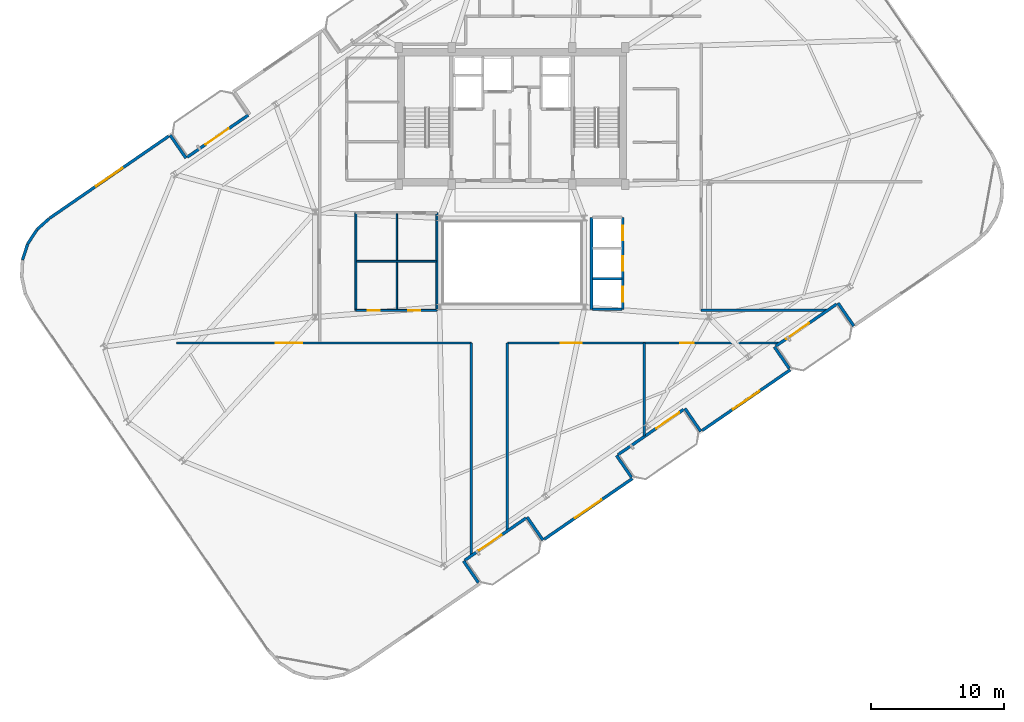
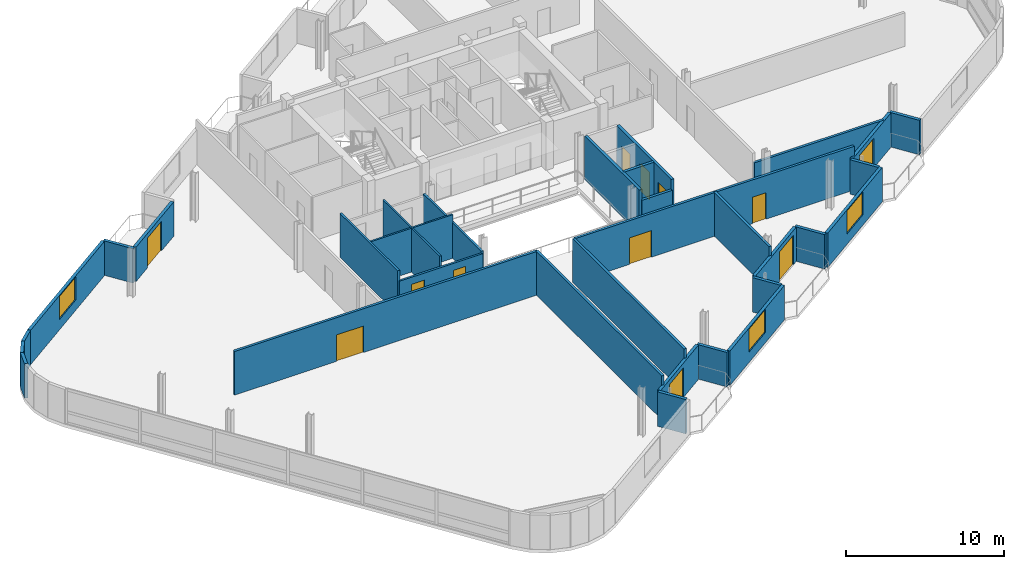
# One storey, part 17 of 23: 32 walls, 12 doors, 3 windows, 15 openings.
"""IFC4 building model written with IfcOpenShell, lengths in metres."""

import ifcopenshell
import ifcopenshell.guid

model = None  # the IFC model being written
_history = None  # IfcOwnerHistory: only IFC2X3 demands one
_inside = {}  # id of a spatial element -> (the spatial element, [elements in it])
_under = {}  # id of a project, library or spatial element -> (it, [spatial elements below it])
_declared = {}  # id of a project -> (the project, [libraries it declares])
_typed = {}  # id of a type object -> (the type object, [elements of that type])
_made_of = {}  # id of a material, layer set ... -> (it, [elements and type objects made of it])


def new_model(schema):
    """Start an empty IFC model of exactly this schema.

    Asked for "IFC4X3", IfcOpenShell would pick the latest addendum, in which some entities
    have other attributes; the version numbers below select the first issue.
    IFC2X3 requires an IfcOwnerHistory on every rooted entity: one is made here for all.
    """
    global model, _history
    if schema == "IFC4X3":
        model = ifcopenshell.file(schema_version=(4, 3, 0, 0))
    else:
        model = ifcopenshell.file(schema=schema)
    _inside.clear()
    _under.clear()
    _declared.clear()
    _typed.clear()
    _made_of.clear()
    _history = None
    if model.schema == "IFC2X3":
        org = make("IfcOrganization", Name="unknown")
        user = make(
            "IfcPersonAndOrganization",
            ThePerson=make("IfcPerson", FamilyName="unknown"),
            TheOrganization=org,
        )
        app = make(
            "IfcApplication",
            ApplicationDeveloper=org,
            Version="unknown",
            ApplicationFullName="unknown",
            ApplicationIdentifier="unknown",
        )
        _history = make(
            "IfcOwnerHistory",
            OwningUser=user,
            OwningApplication=app,
            ChangeAction="ADDED",
            CreationDate=0,
        )
    return model


def make(cls, **values):
    """One entity of the class cls with the attributes given. An attribute that is None is left unset."""
    return model.create_entity(
        cls, **{name: value for name, value in values.items() if value is not None}
    )


def rooted(cls, **values):
    """An entity with a GlobalId (a new one), such as an element, a storey or a relation."""
    return make(cls, GlobalId=ifcopenshell.guid.new(), OwnerHistory=_history, **values)


def si_unit(unit_type, name, prefix=None):
    """IfcSIUnit, for example si_unit("LENGTHUNIT", "METRE", prefix="MILLI")."""
    return make("IfcSIUnit", UnitType=unit_type, Prefix=prefix, Name=name)


def assignment(units):
    """IfcUnitAssignment: the units of a project."""
    return None if units is None else make("IfcUnitAssignment", Units=units)


def point(xyz):
    """IfcCartesianPoint."""
    return None if xyz is None else make("IfcCartesianPoint", Coordinates=xyz)


def direction(xyz):
    """IfcDirection."""
    return None if xyz is None else make("IfcDirection", DirectionRatios=xyz)


def frame(location, z_axis=None, x_axis=None):
    """IfcAxis2Placement3D, a coordinate frame: its origin and axes. An axis left out is left unset."""
    return make(
        "IfcAxis2Placement3D",
        Location=point(location),
        Axis=direction(z_axis),
        RefDirection=direction(x_axis),
    )


def frame_2d(location, x_axis=None):
    """IfcAxis2Placement2D, a coordinate frame in the plane: its origin and x axis."""
    return make(
        "IfcAxis2Placement2D", Location=point(location), RefDirection=direction(x_axis)
    )


def origin():
    """The frame at (0, 0, 0) with its axes left unset."""
    return frame((0.0, 0.0, 0.0))


def place(relative_to, where):
    """IfcLocalPlacement: puts the frame where relative to a parent placement (None: the world)."""
    return make(
        "IfcLocalPlacement", PlacementRelTo=relative_to, RelativePlacement=where
    )


def context(
    kind, dimensions, precision=None, world=None, true_north=None, identifier=None
):
    """IfcGeometricRepresentationContext, for example the 3D "Model" context."""
    return make(
        "IfcGeometricRepresentationContext",
        ContextIdentifier=identifier,
        ContextType=kind,
        CoordinateSpaceDimension=dimensions,
        Precision=precision,
        WorldCoordinateSystem=world,
        TrueNorth=true_north,
    )


def subcontext(parent, identifier, kind, view, scale=None):
    """IfcGeometricRepresentationSubContext, for example "Body" below "Model"."""
    return make(
        "IfcGeometricRepresentationSubContext",
        ContextIdentifier=identifier,
        ContextType=kind,
        ParentContext=parent,
        TargetScale=scale,
        TargetView=view,
    )


def project(units=None, contexts=None):
    """IfcProject with its units and contexts."""
    return rooted(
        "IfcProject",
        Name="project",
        RepresentationContexts=contexts,
        UnitsInContext=assignment(units),
    )


def spatial(cls, under=None, at=None, **own):
    """A site, building, storey or space (cls), placed at a placement, below another one or the project."""
    s = rooted(cls, ObjectPlacement=at, **own)
    if under is not None:
        _under.setdefault(under.id(), (under, []))[1].append(s)
    return s


def profile(cls, at=None, kind="AREA", **sizes):
    """A parametric profile (cls). Its sizes go by their IFC names, for example OverallWidth=200.0."""
    return make(cls, ProfileType=kind, Position=at, **sizes)


def rectangle(**sizes):
    """IfcRectangleProfileDef."""
    return profile("IfcRectangleProfileDef", **sizes)


def extrude(swept, where, along, depth):
    """IfcExtrudedAreaSolid: the profile swept, set in the frame where, extruded along a direction by depth."""
    return make(
        "IfcExtrudedAreaSolid",
        SweptArea=swept,
        Position=where,
        ExtrudedDirection=direction(along),
        Depth=depth,
    )


def shape(context_of_items, identifier, shape_type, items):
    """IfcShapeRepresentation: the items that make up one representation, for example the "Body"."""
    return make(
        "IfcShapeRepresentation",
        ContextOfItems=context_of_items,
        RepresentationIdentifier=identifier,
        RepresentationType=shape_type,
        Items=items,
    )


def material(Name=None, Category=None):
    """IfcMaterial."""
    return make("IfcMaterial", Name=Name, Category=Category)


def layer(
    of_material, thickness, ventilated=None, Name=None, Category=None, Priority=None
):
    """IfcMaterialLayer: one layer of a wall or slab, of a material (None: an air gap)."""
    return make(
        "IfcMaterialLayer",
        Material=of_material,
        LayerThickness=thickness,
        IsVentilated=ventilated,
        Name=Name,
        Category=Category,
        Priority=Priority,
    )


def layer_set(layers, Name=None):
    """IfcMaterialLayerSet."""
    return make("IfcMaterialLayerSet", MaterialLayers=layers, LayerSetName=Name)


def made_of(thing, what):
    """Note that an element or type object is made of a material, layer set ...; save() writes the relation."""
    if what is not None:
        _made_of.setdefault(what.id(), (what, []))[1].append(thing)
    return thing


def type_object(cls, material=None, **own):
    """A type object (cls), such as IfcWallType, which elements share."""
    return made_of(rooted(cls, **own), material)


def element(
    cls,
    number,
    at=None,
    inside=None,
    cuts=None,
    type_object=None,
    material=None,
    context=None,
    identifier="Body",
    shape_type=None,
    held_by="IfcProductDefinitionShape",
    body=None,
    shapes=None,
    **own,
):
    """One element of the class cls, such as IfcWall. Its Tag is "e" and its number.

    at: its placement. inside: the storey or other place that contains it. cuts: it is an
    opening in that element (IfcRelVoidsElement). A single representation is given by context,
    identifier, shape_type and body (its items); several are given by shapes. held_by: the class
    of the entity that holds the representations. save() writes the other relations.
    """
    e = rooted(cls, Tag="e%d" % number, ObjectPlacement=at, **own)
    if body is not None:
        shapes = [shape(context, identifier, shape_type, body)]
    if shapes is not None:
        e.Representation = make(held_by, Representations=shapes)
    if inside is not None:
        _inside.setdefault(inside.id(), (inside, []))[1].append(e)
    if cuts is not None:
        rooted(
            "IfcRelVoidsElement", RelatingBuildingElement=cuts, RelatedOpeningElement=e
        )
    if type_object is not None:
        _typed.setdefault(type_object.id(), (type_object, []))[1].append(e)
    return made_of(e, material)


def fill(opening, filler):
    """IfcRelFillsElement: the door or window that sits in an opening."""
    return rooted(
        "IfcRelFillsElement",
        RelatingOpeningElement=opening,
        RelatedBuildingElement=filler,
    )


def aggregate(whole, parts):
    """IfcRelAggregates: a whole, such as a stair, and the parts it consists of."""
    return rooted("IfcRelAggregates", RelatingObject=whole, RelatedObjects=parts)


def save(model, path):
    """Write the relations noted so far, then the file.

    IfcRelAggregates (storeys below a building ...), IfcRelContainedInSpatialStructure (elements
    in a storey), IfcRelDefinesByType, IfcRelAssociatesMaterial and IfcRelDeclares: one each for
    every whole, place, type object, material and project.
    """
    for whole, parts in _under.values():
        aggregate(whole, parts)
    for where, things in _inside.values():
        rooted(
            "IfcRelContainedInSpatialStructure",
            RelatedElements=things,
            RelatingStructure=where,
        )
    for kind, things in _typed.values():
        rooted("IfcRelDefinesByType", RelatedObjects=things, RelatingType=kind)
    for what, things in _made_of.values():
        rooted("IfcRelAssociatesMaterial", RelatedObjects=things, RelatingMaterial=what)
    for by, libraries in _declared.values():
        rooted("IfcRelDeclares", RelatingContext=by, RelatedDefinitions=libraries)
    model.write(path)


model = new_model("IFC4")

# Units and contexts
model_context = context("Model", 3, precision=1e-05, world=origin(), true_north=direction((0.0, 1.0)))
body_context = subcontext(model_context, "Body", "Model", "MODEL_VIEW")
ifc_project = project(units=[si_unit("LENGTHUNIT", "METRE"), si_unit("AREAUNIT", "SQUARE_METRE"), si_unit("VOLUMEUNIT", "CUBIC_METRE"), si_unit("PLANEANGLEUNIT", "RADIAN"), si_unit("MASSUNIT", "GRAM", prefix="KILO")], contexts=[model_context])

# Site, building, storey
site_placement = place(None, origin())
site = spatial("IfcSite", under=ifc_project, at=site_placement, CompositionType="ELEMENT")
building_placement = place(site_placement, origin())
building = spatial("IfcBuilding", under=site, at=building_placement, Name="Varnelok Gate Tower", CompositionType="ELEMENT")
storey_placement = place(building_placement, frame((0.0, 0.0, 287.800048828125)))
storey = spatial("IfcBuildingStorey", under=building, at=storey_placement, Name="L74", CompositionType="ELEMENT", Elevation=287.800048828125)

# Wall, opening, door
ifc_material_1 = material(Name="Concrete C45/55", Category="concrete")
ifc_layer_1 = layer(ifc_material_1, 0.219970703125)
ifc_layer_set_1 = layer_set([ifc_layer_1], Name="Concrete C45/55")
wall_type_1 = type_object("IfcWallType", Name="EW-BALC-220", PredefinedType="SOLIDWALL", material=ifc_layer_set_1)
wall_1_placement = place(storey_placement, frame((40.243896484375, 3.6884765625, 0.0), z_axis=(0.0, 0.0, 1.0), x_axis=(-0.823541290762, -0.567256328665, 0.0)))
wall_1 = element("IfcWall", 1, at=wall_1_placement, inside=storey, type_object=wall_type_1, Name="L74 South Terrace Envelope Wall 1", PredefinedType="SOLIDWALL", context=body_context, shape_type="SweptSolid", body=[
    extrude(rectangle(XDim=5.567138671875, YDim=0.219970703125, at=frame_2d((2.78369140625, 0.0))), origin(), (0.0, 0.0, 1.0), 2.659912109375),
])
opening_1_placement = place(wall_1_placement, frame((2.213623046875, 0.0, 0.0)))
opening_1 = element("IfcOpeningElement", 2, at=opening_1_placement, cuts=wall_1, Name="Opening BD-2", PredefinedType="OPENING", context=body_context, shape_type="SweptSolid", body=[
    extrude(rectangle(XDim=2.10009765625, YDim=2.300048828125, at=frame_2d((1.050048828125, 1.14990234375))), frame((0.0, 0.119873046875, 0.0), z_axis=(0.0, -1.0, 0.0), x_axis=(1.0, 0.0, 0.0)), (0.0, 0.0, 1.0), 0.239990234375),
])
ifc_material_2 = material(Name="Anodized Aluminum Alloy 6063-T6", Category="aluminium")
door_type_1 = type_object("IfcDoorType", Name="DR-EXT-SLID2100", OperationType="SLIDING_TO_LEFT", PredefinedType="DOOR", material=ifc_material_2)
door_1_placement = place(opening_1_placement, origin())
door_1 = element("IfcDoor", 3, at=door_1_placement, inside=storey, type_object=door_type_1, Name="L74 South Balcony Glazed Door 1", OperationType="SLIDING_TO_LEFT", OverallHeight=2.300048828125, OverallWidth=2.10009765625, PredefinedType="DOOR", context=body_context, shape_type="SweptSolid", body=[
    extrude(rectangle(XDim=2.10009765625, YDim=2.300048828125, at=frame_2d((1.050048828125, 1.14990234375))), frame((0.0, 0.02490234375, 0.0), z_axis=(0.0, -1.0, 0.0), x_axis=(1.0, 0.0, 0.0)), (0.0, 0.0, 1.0), 0.050048828125),
])
fill(opening_1, door_1)

wall_2_placement = place(storey_placement, frame((52.102783203125, 11.85693359375, 0.0), z_axis=(0.0, 0.0, 1.0), x_axis=(-0.823534636215, -0.567265989598, 0.0)))
wall_2 = element("IfcWall", 4, at=wall_2_placement, inside=storey, type_object=wall_type_1, Name="L74 South Terrace Envelope Wall 2", PredefinedType="SOLIDWALL", context=body_context, shape_type="SweptSolid", body=[
    extrude(rectangle(XDim=6.0, YDim=0.219970703125, at=frame_2d((3.0, 0.0))), origin(), (0.0, 0.0, 1.0), 2.659912109375),
])
opening_2_placement = place(wall_2_placement, frame((0.39990234375, 0.0, 0.0)))
opening_2 = element("IfcOpeningElement", 5, at=opening_2_placement, cuts=wall_2, Name="Opening BD-2", PredefinedType="OPENING", context=body_context, shape_type="SweptSolid", body=[
    extrude(rectangle(XDim=2.10009765625, YDim=2.300048828125, at=frame_2d((1.050048828125, 1.14990234375))), frame((0.0, 0.119873046875, 0.0), z_axis=(0.0, -1.0, 0.0), x_axis=(1.0, 0.0, 0.0)), (0.0, 0.0, 1.0), 0.239990234375),
])
door_2_placement = place(opening_2_placement, origin())
door_2 = element("IfcDoor", 6, at=door_2_placement, inside=storey, type_object=door_type_1, Name="L74 South Balcony Glazed Door 2", OperationType="SLIDING_TO_LEFT", OverallHeight=2.300048828125, OverallWidth=2.10009765625, PredefinedType="DOOR", context=body_context, shape_type="SweptSolid", body=[
    extrude(rectangle(XDim=2.10009765625, YDim=2.300048828125, at=frame_2d((1.050048828125, 1.14990234375))), frame((0.0, 0.02490234375, 0.0), z_axis=(0.0, -1.0, 0.0), x_axis=(1.0, 0.0, 0.0)), (0.0, 0.0, 1.0), 0.050048828125),
])
fill(opening_2, door_2)

wall_3_placement = place(storey_placement, frame((63.60498046875, 19.780029296875, 0.0), z_axis=(0.0, 0.0, 1.0), x_axis=(-0.823541290762, -0.567256328665, 0.0)))
wall_3 = element("IfcWall", 7, at=wall_3_placement, inside=storey, type_object=wall_type_1, Name="L74 South Terrace Envelope Wall 3", PredefinedType="SOLIDWALL", context=body_context, shape_type="SweptSolid", body=[
    extrude(rectangle(XDim=5.567138671875, YDim=0.219970703125, at=frame_2d((2.78369140625, 0.0))), origin(), (0.0, 0.0, 1.0), 2.659912109375),
])
opening_3_placement = place(wall_3_placement, frame((2.53369140625, 0.0, 0.0)))
opening_3 = element("IfcOpeningElement", 8, at=opening_3_placement, cuts=wall_3, Name="Opening BD-2", PredefinedType="OPENING", context=body_context, shape_type="SweptSolid", body=[
    extrude(rectangle(XDim=2.10009765625, YDim=2.300048828125, at=frame_2d((1.050048828125, 1.14990234375))), frame((0.0, 0.119873046875, 0.0), z_axis=(0.0, -1.0, 0.0), x_axis=(1.0, 0.0, 0.0)), (0.0, 0.0, 1.0), 0.239990234375),
])
door_3_placement = place(opening_3_placement, origin())
door_3 = element("IfcDoor", 9, at=door_3_placement, inside=storey, type_object=door_type_1, Name="L74 South Balcony Glazed Door 3", OperationType="SLIDING_TO_LEFT", OverallHeight=2.300048828125, OverallWidth=2.10009765625, PredefinedType="DOOR", context=body_context, shape_type="SweptSolid", body=[
    extrude(rectangle(XDim=2.10009765625, YDim=2.300048828125, at=frame_2d((1.050048828125, 1.14990234375))), frame((0.0, 0.02490234375, 0.0), z_axis=(0.0, -1.0, 0.0), x_axis=(1.0, 0.0, 0.0)), (0.0, 0.0, 1.0), 0.050048828125),
])
fill(opening_3, door_3)

wall_4_placement = place(storey_placement, frame((14.794921875, 30.81982421875, 0.0), z_axis=(0.0, 0.0, 1.0), x_axis=(0.823541290762, 0.567256328665, 0.0)))
wall_4 = element("IfcWall", 10, at=wall_4_placement, inside=storey, type_object=wall_type_1, Name="L74 North Terrace Envelope Wall 4", PredefinedType="SOLIDWALL", context=body_context, shape_type="SweptSolid", body=[
    extrude(rectangle(XDim=5.567138671875, YDim=0.219970703125, at=frame_2d((2.78369140625, 0.0))), origin(), (0.0, 0.0, 1.0), 2.659912109375),
])
opening_4_placement = place(wall_4_placement, frame((1.68017578125, 0.0, 0.0)))
opening_4 = element("IfcOpeningElement", 11, at=opening_4_placement, cuts=wall_4, Name="Opening BD-2", PredefinedType="OPENING", context=body_context, shape_type="SweptSolid", body=[
    extrude(rectangle(XDim=2.10009765625, YDim=2.300048828125, at=frame_2d((1.050048828125, 1.14990234375))), frame((0.0, 0.119873046875, 0.0), z_axis=(0.0, -1.0, 0.0), x_axis=(1.0, 0.0, 0.0)), (0.0, 0.0, 1.0), 0.239990234375),
])
door_4_placement = place(opening_4_placement, origin())
door_4 = element("IfcDoor", 12, at=door_4_placement, inside=storey, type_object=door_type_1, Name="L74 North Balcony Glazed Door 4", OperationType="SLIDING_TO_LEFT", OverallHeight=2.300048828125, OverallWidth=2.10009765625, PredefinedType="DOOR", context=body_context, shape_type="SweptSolid", body=[
    extrude(rectangle(XDim=2.10009765625, YDim=2.300048828125, at=frame_2d((1.050048828125, 1.14990234375))), frame((0.0, 0.02490234375, 0.0), z_axis=(0.0, -1.0, 0.0), x_axis=(1.0, 0.0, 0.0)), (0.0, 0.0, 1.0), 0.050048828125),
])
fill(opening_4, door_4)

# Walls
wall_5_placement = place(storey_placement, frame((36.675048828125, -1.156005859375, 0.0), z_axis=(0.0, 0.0, 1.0), x_axis=(-0.567215821234, 0.823569190865, 0.0)))
element("IfcWall", 13, at=wall_5_placement, inside=storey, type_object=wall_type_1, Name="L74 Perimeter Facade Closure Wall 8", PredefinedType="SOLIDWALL", context=body_context, shape_type="SweptSolid", body=[
    extrude(rectangle(XDim=1.97509765625, YDim=0.219970703125, at=frame_2d((0.987548828125, 0.0))), origin(), (0.0, 0.0, 1.0), 2.659912109375),
])
wall_6_placement = place(storey_placement, frame((40.3369140625, 3.7646484375, 0.0), z_axis=(0.0, 0.0, 1.0), x_axis=(0.567352541689, -0.823475010816, 0.0)))
element("IfcWall", 14, at=wall_6_placement, inside=storey, type_object=wall_type_1, Name="L74 Perimeter Facade Closure Wall 9", PredefinedType="SOLIDWALL", context=body_context, shape_type="SweptSolid", body=[
    extrude(rectangle(XDim=2.099853515625, YDim=0.219970703125, at=frame_2d((1.0498046875, 0.0))), origin(), (0.0, 0.0, 1.0), 2.659912109375),
])

# Wall, opening, window
wall_7_placement = place(storey_placement, frame((41.631103515625, 2.106201171875, 0.0), z_axis=(0.0, 0.0, 1.0), x_axis=(0.823530942962, 0.56727135128, 0.0)))
wall_7 = element("IfcWall", 15, at=wall_7_placement, inside=storey, type_object=wall_type_1, Name="L74 Perimeter Facade Closure Wall 10", PredefinedType="SOLIDWALL", context=body_context, shape_type="SweptSolid", body=[
    extrude(rectangle(XDim=8.03515625, YDim=0.219970703125, at=frame_2d((4.017578125, 0.0))), origin(), (0.0, 0.0, 1.0), 2.659912109375),
])
opening_5_placement = place(wall_7_placement, frame((2.8173828125, 0.0, 0.800048828125)))
opening_5 = element("IfcOpeningElement", 16, at=opening_5_placement, cuts=wall_7, Name="Opening WN6A", PredefinedType="OPENING", context=body_context, shape_type="SweptSolid", body=[
    extrude(rectangle(XDim=2.39990234375, YDim=1.780029296875, at=frame_2d((1.199951171875, 0.89013671875))), frame((0.0, 0.119873046875, 0.0), z_axis=(0.0, -1.0, 0.0), x_axis=(1.0, 0.0, 0.0)), (0.0, 0.0, 1.0), 0.239990234375),
])
ifc_material_3 = material(Name="Low-E Laminated Double Glazing IGU", Category="glass")
window_type = type_object("IfcWindowType", Name="WN-PEN-2400X1780", PartitioningType="SINGLE_PANEL", PredefinedType="WINDOW", material=ifc_material_3)
window_1_placement = place(opening_5_placement, origin())
window_1 = element("IfcWindow", 17, at=window_1_placement, inside=storey, type_object=window_type, Name="L74 Perimeter Vision Window 10", OverallHeight=1.780029296875, OverallWidth=2.39990234375, PartitioningType="SINGLE_PANEL", PredefinedType="WINDOW", context=body_context, shape_type="SweptSolid", body=[
    extrude(rectangle(XDim=2.39990234375, YDim=1.780029296875, at=frame_2d((1.199951171875, 0.89013671875))), frame((0.0, 0.030029296875, 0.0), z_axis=(0.0, -1.0, 0.0), x_axis=(1.0, 0.0, 0.0)), (0.0, 0.0, 1.0), 0.06005859375),
])
fill(opening_5, window_1)

# Walls
wall_8_placement = place(storey_placement, frame((48.17724609375, 6.76708984375, 0.0), z_axis=(0.0, 0.0, 1.0), x_axis=(-0.567273565974, 0.823529417415, 0.0)))
element("IfcWall", 18, at=wall_8_placement, inside=storey, type_object=wall_type_1, Name="L74 Perimeter Facade Closure Wall 11", PredefinedType="SOLIDWALL", context=body_context, shape_type="SweptSolid", body=[
    extrude(rectangle(XDim=1.97509765625, YDim=0.219970703125, at=frame_2d((0.987548828125, 0.0))), origin(), (0.0, 0.0, 1.0), 2.659912109375),
])
wall_9_placement = place(storey_placement, frame((52.19580078125, 11.933349609375, 0.0), z_axis=(0.0, 0.0, 1.0), x_axis=(0.56729822855, -0.823512428494, 0.0)))
element("IfcWall", 19, at=wall_9_placement, inside=storey, type_object=wall_type_1, Name="L74 Perimeter Facade Closure Wall 12", PredefinedType="SOLIDWALL", context=body_context, shape_type="SweptSolid", body=[
    extrude(rectangle(XDim=2.10009765625, YDim=0.219970703125, at=frame_2d((1.050048828125, 0.0))), origin(), (0.0, 0.0, 1.0), 2.659912109375),
])

# Wall, opening, window
wall_10_placement = place(storey_placement, frame((53.489990234375, 10.27490234375, 0.0), z_axis=(0.0, 0.0, 1.0), x_axis=(0.823530942962, 0.56727135128, 0.0)))
wall_10 = element("IfcWall", 20, at=wall_10_placement, inside=storey, type_object=wall_type_1, Name="L74 Perimeter Facade Closure Wall 13", PredefinedType="SOLIDWALL", context=body_context, shape_type="SweptSolid", body=[
    extrude(rectangle(XDim=8.03515625, YDim=0.219970703125, at=frame_2d((4.017578125, 0.0))), origin(), (0.0, 0.0, 1.0), 2.659912109375),
])
opening_6_placement = place(wall_10_placement, frame((2.8173828125, 0.0, 0.800048828125)))
opening_6 = element("IfcOpeningElement", 21, at=opening_6_placement, cuts=wall_10, Name="Opening WN6A", PredefinedType="OPENING", context=body_context, shape_type="SweptSolid", body=[
    extrude(rectangle(XDim=2.39990234375, YDim=1.780029296875, at=frame_2d((1.199951171875, 0.89013671875))), frame((0.0, 0.119873046875, 0.0), z_axis=(0.0, -1.0, 0.0), x_axis=(1.0, 0.0, 0.0)), (0.0, 0.0, 1.0), 0.239990234375),
])
window_2_placement = place(opening_6_placement, origin())
window_2 = element("IfcWindow", 22, at=window_2_placement, inside=storey, type_object=window_type, Name="L74 Perimeter Vision Window 13", OverallHeight=1.780029296875, OverallWidth=2.39990234375, PartitioningType="SINGLE_PANEL", PredefinedType="WINDOW", context=body_context, shape_type="SweptSolid", body=[
    extrude(rectangle(XDim=2.39990234375, YDim=1.780029296875, at=frame_2d((1.199951171875, 0.89013671875))), frame((0.0, 0.030029296875, 0.0), z_axis=(0.0, -1.0, 0.0), x_axis=(1.0, 0.0, 0.0)), (0.0, 0.0, 1.0), 0.06005859375),
])
fill(opening_6, window_2)

# Walls
wall_11_placement = place(storey_placement, frame((60.0361328125, 14.935791015625, 0.0), z_axis=(0.0, 0.0, 1.0), x_axis=(-0.567273565974, 0.823529417415, 0.0)))
element("IfcWall", 23, at=wall_11_placement, inside=storey, type_object=wall_type_1, Name="L74 Perimeter Facade Closure Wall 14", PredefinedType="SOLIDWALL", context=body_context, shape_type="SweptSolid", body=[
    extrude(rectangle(XDim=1.97509765625, YDim=0.219970703125, at=frame_2d((0.987548828125, 0.0))), origin(), (0.0, 0.0, 1.0), 2.659912109375),
])
wall_12_placement = place(storey_placement, frame((63.6982421875, 19.8564453125, 0.0), z_axis=(0.0, 0.0, 1.0), x_axis=(0.567219383419, -0.823566737474, 0.0)))
element("IfcWall", 24, at=wall_12_placement, inside=storey, type_object=wall_type_1, Name="L74 Perimeter Facade Closure Wall 15", PredefinedType="SOLIDWALL", context=body_context, shape_type="SweptSolid", body=[
    extrude(rectangle(XDim=2.10009765625, YDim=0.219970703125, at=frame_2d((1.050048828125, 0.0))), origin(), (0.0, 0.0, 1.0), 2.659912109375),
])
wall_13_placement = place(storey_placement, frame((14.701904296875, 30.74365234375, 0.0), z_axis=(0.0, 0.0, 1.0), x_axis=(-0.567352541689, 0.823475010816, 0.0)))
element("IfcWall", 25, at=wall_13_placement, inside=storey, type_object=wall_type_1, Name="L74 Perimeter Facade Closure Wall 37", PredefinedType="SOLIDWALL", context=body_context, shape_type="SweptSolid", body=[
    extrude(rectangle(XDim=2.099853515625, YDim=0.219970703125, at=frame_2d((1.0498046875, 0.0))), origin(), (0.0, 0.0, 1.0), 2.659912109375),
])

# Wall, opening, window
wall_14_placement = place(storey_placement, frame((13.40771484375, 32.402099609375, 0.0), z_axis=(0.0, 0.0, 1.0), x_axis=(-0.823527634633, -0.567276154087, 0.0)))
wall_14 = element("IfcWall", 26, at=wall_14_placement, inside=storey, type_object=wall_type_1, Name="L74 Perimeter Facade Closure Wall 38", PredefinedType="SOLIDWALL", context=body_context, shape_type="SweptSolid", body=[
    extrude(rectangle(XDim=10.88037109375, YDim=0.219970703125, at=frame_2d((5.440185546875, 0.0))), origin(), (0.0, 0.0, 1.0), 2.659912109375),
])
opening_7_placement = place(wall_14_placement, frame((4.239990234375, 0.0, 0.800048828125)))
opening_7 = element("IfcOpeningElement", 27, at=opening_7_placement, cuts=wall_14, Name="Opening WN6A", PredefinedType="OPENING", context=body_context, shape_type="SweptSolid", body=[
    extrude(rectangle(XDim=2.39990234375, YDim=1.780029296875, at=frame_2d((1.199951171875, 0.89013671875))), frame((0.0, 0.119873046875, 0.0), z_axis=(0.0, -1.0, 0.0), x_axis=(1.0, 0.0, 0.0)), (0.0, 0.0, 1.0), 0.239990234375),
])
window_3_placement = place(opening_7_placement, origin())
window_3 = element("IfcWindow", 28, at=window_3_placement, inside=storey, type_object=window_type, Name="L74 Perimeter Vision Window 38", OverallHeight=1.780029296875, OverallWidth=2.39990234375, PartitioningType="SINGLE_PANEL", PredefinedType="WINDOW", context=body_context, shape_type="SweptSolid", body=[
    extrude(rectangle(XDim=2.39990234375, YDim=1.780029296875, at=frame_2d((1.199951171875, 0.89013671875))), frame((0.0, 0.030029296875, 0.0), z_axis=(0.0, -1.0, 0.0), x_axis=(1.0, 0.0, 0.0)), (0.0, 0.0, 1.0), 0.06005859375),
])
fill(opening_7, window_3)

# Walls
wall_15_placement = place(storey_placement, frame((4.428955078125, 26.21337890625, 0.0), z_axis=(0.0, 0.0, 1.0), x_axis=(-0.742414330744, -0.669941013453, 0.0)))
element("IfcWall", 29, at=wall_15_placement, inside=storey, type_object=wall_type_1, Name="L74 Perimeter Facade Closure Wall 39", PredefinedType="SOLIDWALL", context=body_context, shape_type="SweptSolid", body=[
    extrude(rectangle(XDim=1.256591796875, YDim=0.219970703125, at=frame_2d((0.62841796875, 0.0))), origin(), (0.0, 0.0, 1.0), 2.659912109375),
])
for number, where, z_axis, x_axis, name in (
    (30, (3.482421875, 25.3505859375, 0.0), (0.0, 0.0, 1.0), (-0.543778157277, -0.839229000731, 0.0), "L74 Perimeter Facade Closure Wall 40"),
    (31, (2.7958984375, 24.27880859375, 0.0), (0.0, 0.0, 1.0), (-0.30817950344, -0.951328226039, 0.0), "L74 Perimeter Facade Closure Wall 41"),
):
    element("IfcWall", number, at=place(storey_placement, frame(where, z_axis=z_axis, x_axis=x_axis)), inside=storey, type_object=wall_type_1, Name=name, PredefinedType="SOLIDWALL", context=body_context, shape_type="SweptSolid", body=[
        extrude(rectangle(XDim=1.24853515625, YDim=0.219970703125, at=frame_2d((0.624267578125, 0.0))), origin(), (0.0, 0.0, 1.0), 2.659912109375),
    ])

# Wall, opening, door
ifc_material_4 = material(Name="Gypsum Plasterboard Acoustic Partition", Category="gypsum")
ifc_layer_2 = layer(ifc_material_4, 0.179931640625)
ifc_layer_set_2 = layer_set([ifc_layer_2], Name="Gypsum Plasterboard Acoustic Partition")
wall_type_2 = type_object("IfcWallType", Name="PW-CORR-180", PredefinedType="PARTITIONING", material=ifc_layer_set_2)
wall_16_placement = place(storey_placement, frame((14.0, 16.85009765625, 0.0), z_axis=(0.0, 0.0, 1.0), x_axis=(1.0, 0.0, 0.0)))
wall_16 = element("IfcWall", 32, at=wall_16_placement, inside=storey, type_object=wall_type_2, Name="Interior Partition", PredefinedType="PARTITIONING", context=body_context, shape_type="SweptSolid", body=[
    extrude(rectangle(XDim=22.14990234375, YDim=0.179931640625, at=frame_2d((11.074951171875, 0.0))), origin(), (0.0, 0.0, 1.0), 3.3798828125),
])
opening_8_placement = place(wall_16_placement, frame((7.432861328125, 0.0, 0.0)))
opening_8 = element("IfcOpeningElement", 33, at=opening_8_placement, cuts=wall_16, Name="Opening D-BL", PredefinedType="OPENING", context=body_context, shape_type="SweptSolid", body=[
    extrude(rectangle(XDim=2.0, YDim=2.050048828125, at=frame_2d((1.0, 1.02490234375))), frame((0.0, 0.099853515625, 0.0), z_axis=(0.0, -1.0, 0.0), x_axis=(1.0, 0.0, 0.0)), (0.0, 0.0, 1.0), 0.199951171875),
])
ifc_material_5 = material(Name="Engineered Hardwood Timber", Category="wood")
door_type_2 = type_object("IfcDoorType", Name="DR-BALL-2000", OperationType="DOUBLE_DOOR_SINGLE_SWING", PredefinedType="DOOR", material=ifc_material_5)
door_5_placement = place(opening_8_placement, origin())
door_5 = element("IfcDoor", 34, at=door_5_placement, inside=storey, type_object=door_type_2, Name="L74 Private Dining Portal", OperationType="DOUBLE_DOOR_SINGLE_SWING", OverallHeight=2.050048828125, OverallWidth=2.0, PredefinedType="DOOR", context=body_context, shape_type="SweptSolid", body=[
    extrude(rectangle(XDim=2.0, YDim=2.050048828125, at=frame_2d((1.0, 1.02490234375))), frame((0.0, 0.02490234375, 0.0), z_axis=(0.0, -1.0, 0.0), x_axis=(1.0, 0.0, 0.0)), (0.0, 0.0, 1.0), 0.050048828125),
])
fill(opening_8, door_5)

# Wall, openings, doors
wall_17_placement = place(storey_placement, frame((38.85009765625, 16.85009765625, 0.0), z_axis=(0.0, 0.0, 1.0), x_axis=(1.0, 0.0, 0.0)))
wall_17 = element("IfcWall", 35, at=wall_17_placement, inside=storey, type_object=wall_type_2, Name="Interior Partition", PredefinedType="PARTITIONING", context=body_context, shape_type="SweptSolid", body=[
    extrude(rectangle(XDim=20.4482421875, YDim=0.179931640625, at=frame_2d((10.22412109375, 0.0))), origin(), (0.0, 0.0, 1.0), 3.3798828125),
])
opening_9_placement = place(wall_17_placement, frame((4.0, 0.0, 0.0)))
opening_9 = element("IfcOpeningElement", 36, at=opening_9_placement, cuts=wall_17, Name="Opening D-PL", PredefinedType="OPENING", context=body_context, shape_type="SweptSolid", body=[
    extrude(rectangle(XDim=1.60009765625, YDim=2.050048828125, at=frame_2d((0.800048828125, 1.02490234375))), frame((0.0, 0.099853515625, 0.0), z_axis=(0.0, -1.0, 0.0), x_axis=(1.0, 0.0, 0.0)), (0.0, 0.0, 1.0), 0.199951171875),
])
opening_10_placement = place(wall_17_placement, frame((13.0, 0.0, 0.0)))
opening_10 = element("IfcOpeningElement", 37, at=opening_10_placement, cuts=wall_17, Name="Opening D-I1", PredefinedType="OPENING", context=body_context, shape_type="SweptSolid", body=[
    extrude(rectangle(XDim=1.0, YDim=2.050048828125, at=frame_2d((0.5, 1.02490234375))), frame((0.0, 0.099853515625, 0.0), z_axis=(0.0, -1.0, 0.0), x_axis=(1.0, 0.0, 0.0)), (0.0, 0.0, 1.0), 0.199951171875),
])
door_type_3 = type_object("IfcDoorType", Name="DR-INT-1000", OperationType="NOTDEFINED", PredefinedType="DOOR", material=ifc_material_5)
door_6_placement = place(opening_10_placement, origin())
door_6 = element("IfcDoor", 38, at=door_6_placement, inside=storey, type_object=door_type_3, Name="L74 Wine Cellar Door", OperationType="SINGLE_SWING_LEFT", OverallHeight=2.050048828125, OverallWidth=1.0, PredefinedType="DOOR", context=body_context, shape_type="SweptSolid", body=[
    extrude(rectangle(XDim=1.0, YDim=2.050048828125, at=frame_2d((0.5, 1.02490234375))), frame((0.0, 0.02490234375, 0.0), z_axis=(0.0, -1.0, 0.0), x_axis=(1.0, 0.0, 0.0)), (0.0, 0.0, 1.0), 0.050048828125),
])
fill(opening_10, door_6)
ifc_material_6 = material(Name="Galvanized Steel Grade S350GD", Category="steel")
door_type_4 = type_object("IfcDoorType", Name="DR-PLANT-1600", OperationType="DOUBLE_DOOR_SINGLE_SWING", PredefinedType="DOOR", material=ifc_material_6)
door_7_placement = place(opening_9_placement, origin())
door_7 = element("IfcDoor", 39, at=door_7_placement, inside=storey, type_object=door_type_4, Name="L74 Chef Kitchen Door", OperationType="DOUBLE_DOOR_SINGLE_SWING", OverallHeight=2.050048828125, OverallWidth=1.60009765625, PredefinedType="DOOR", context=body_context, shape_type="SweptSolid", body=[
    extrude(rectangle(XDim=1.60009765625, YDim=2.050048828125, at=frame_2d((0.800048828125, 1.02490234375))), frame((0.0, 0.02490234375, 0.0), z_axis=(0.0, -1.0, 0.0), x_axis=(1.0, 0.0, 0.0)), (0.0, 0.0, 1.0), 0.050048828125),
])
fill(opening_9, door_7)

# Walls
wall_18_placement = place(storey_placement, frame((36.14990234375, 0.90478515625, 0.0), z_axis=(0.0, 0.0, 1.0), x_axis=(0.0, 1.0, 0.0)))
element("IfcWall", 40, at=wall_18_placement, inside=storey, type_object=wall_type_2, Name="Interior Partition", PredefinedType="PARTITIONING", context=body_context, shape_type="SweptSolid", body=[
    extrude(rectangle(XDim=15.9453125, YDim=0.179931640625, at=frame_2d((7.97265625, 0.0))), origin(), (0.0, 0.0, 1.0), 3.3798828125),
])
wall_19_placement = place(storey_placement, frame((38.85009765625, 2.7646484375, 0.0), z_axis=(0.0, 0.0, 1.0), x_axis=(0.0, 1.0, 0.0)))
element("IfcWall", 41, at=wall_19_placement, inside=storey, type_object=wall_type_2, Name="Interior Partition", PredefinedType="PARTITIONING", context=body_context, shape_type="SweptSolid", body=[
    extrude(rectangle(XDim=14.08544921875, YDim=0.179931640625, at=frame_2d((7.042724609375, 0.0))), origin(), (0.0, 0.0, 1.0), 3.3798828125),
])
wall_20_placement = place(storey_placement, frame((49.14990234375, 9.859619140625, 0.0), z_axis=(0.0, 0.0, 1.0), x_axis=(0.0, 1.0, 0.0)))
element("IfcWall", 42, at=wall_20_placement, inside=storey, type_object=wall_type_2, Name="Interior Partition", PredefinedType="PARTITIONING", context=body_context, shape_type="SweptSolid", body=[
    extrude(rectangle(XDim=6.990478515625, YDim=0.179931640625, at=frame_2d((3.4951171875, 0.0))), origin(), (0.0, 0.0, 1.0), 3.3798828125),
])
wall_21_placement = place(storey_placement, frame((53.419921875, 19.300048828125, 0.0), z_axis=(0.0, 0.0, 1.0), x_axis=(1.0, 0.0, 0.0)))
element("IfcWall", 43, at=wall_21_placement, inside=storey, type_object=wall_type_2, Name="Interior Partition", PredefinedType="PARTITIONING", context=body_context, shape_type="SweptSolid", body=[
    extrude(rectangle(XDim=9.43505859375, YDim=0.179931640625, at=frame_2d((4.717529296875, 0.0))), origin(), (0.0, 0.0, 1.0), 2.6689453125),
])
ifc_layer_3 = layer(ifc_material_4, 0.125)
ifc_layer_set_3 = layer_set([ifc_layer_3], Name="Gypsum Plasterboard Acoustic Partition")
wall_type_3 = type_object("IfcWallType", Name="PW-PART-125", PredefinedType="PARTITIONING", material=ifc_layer_set_3)
wall_22_placement = place(storey_placement, frame((30.550048828125, 19.3798828125, 0.0), z_axis=(0.0, 0.0, 1.0), x_axis=(0.0, 1.0, 0.0)))
element("IfcWall", 44, at=wall_22_placement, inside=storey, type_object=wall_type_3, Name="Interior Partition", PredefinedType="PARTITIONING", context=body_context, shape_type="SweptSolid", body=[
    extrude(rectangle(XDim=7.18017578125, YDim=0.125, at=frame_2d((3.590087890625, 0.0))), origin(), (0.0, 0.0, 1.0), 3.3798828125),
])
wall_23_placement = place(storey_placement, frame((27.52001953125, 23.0, 0.0), z_axis=(0.0, 0.0, 1.0), x_axis=(1.0, 0.0, 0.0)))
element("IfcWall", 45, at=wall_23_placement, inside=storey, type_object=wall_type_3, Name="Interior Partition", PredefinedType="PARTITIONING", context=body_context, shape_type="SweptSolid", body=[
    extrude(rectangle(XDim=6.0, YDim=0.125, at=frame_2d((3.0, 0.0))), origin(), (0.0, 0.0, 1.0), 3.3798828125),
])

# Wall, openings, doors
ifc_layer_4 = layer(ifc_material_4, 0.14990234375)
ifc_layer_set_4 = layer_set([ifc_layer_4], Name="Gypsum Plasterboard Acoustic Partition")
wall_type_4 = type_object("IfcWallType", Name="PW-PART-150", PredefinedType="PARTITIONING", material=ifc_layer_set_4)
wall_24_placement = place(storey_placement, frame((27.4599609375, 19.300048828125, 0.0), z_axis=(0.0, 0.0, 1.0), x_axis=(1.0, 0.0, 0.0)))
wall_24 = element("IfcWall", 46, at=wall_24_placement, inside=storey, type_object=wall_type_4, Name="Interior Partition", PredefinedType="PARTITIONING", context=body_context, shape_type="SweptSolid", body=[
    extrude(rectangle(XDim=6.10009765625, YDim=0.14990234375, at=frame_2d((3.050048828125, 0.0))), origin(), (0.0, 0.0, 1.0), 2.592041015625),
])
opening_11_placement = place(wall_24_placement, frame((0.89990234375, 0.0, 0.0)))
opening_11 = element("IfcOpeningElement", 47, at=opening_11_placement, cuts=wall_24, Name="Opening D-I3", PredefinedType="OPENING", context=body_context, shape_type="SweptSolid", body=[
    extrude(rectangle(XDim=0.919921875, YDim=2.050048828125, at=frame_2d((0.4599609375, 1.02490234375))), frame((0.0, 0.0849609375, 0.0), z_axis=(0.0, -1.0, 0.0), x_axis=(1.0, 0.0, 0.0)), (0.0, 0.0, 1.0), 0.169921875),
])
opening_12_placement = place(wall_24_placement, frame((3.949951171875, 0.0, 0.0)))
opening_12 = element("IfcOpeningElement", 48, at=opening_12_placement, cuts=wall_24, Name="Opening D-WC", PredefinedType="OPENING", context=body_context, shape_type="SweptSolid", body=[
    extrude(rectangle(XDim=0.89990234375, YDim=2.050048828125, at=frame_2d((0.449951171875, 1.02490234375))), frame((0.0, 0.0849609375, 0.0), z_axis=(0.0, -1.0, 0.0), x_axis=(1.0, 0.0, 0.0)), (0.0, 0.0, 1.0), 0.169921875),
])
door_type_5 = type_object("IfcDoorType", Name="DR-BATH-900", OperationType="NOTDEFINED", PredefinedType="DOOR", material=ifc_material_5)
door_8_placement = place(opening_12_placement, origin())
door_8 = element("IfcDoor", 49, at=door_8_placement, inside=storey, type_object=door_type_5, Name="L74 Accessible WC Door", OperationType="SINGLE_SWING_LEFT", OverallHeight=2.050048828125, OverallWidth=0.89990234375, PredefinedType="DOOR", context=body_context, shape_type="SweptSolid", body=[
    extrude(rectangle(XDim=0.89990234375, YDim=2.050048828125, at=frame_2d((0.449951171875, 1.02490234375))), frame((0.0, 0.02490234375, 0.0), z_axis=(0.0, -1.0, 0.0), x_axis=(1.0, 0.0, 0.0)), (0.0, 0.0, 1.0), 0.050048828125),
])
fill(opening_12, door_8)
door_type_6 = type_object("IfcDoorType", Name="DR-INT-920", OperationType="NOTDEFINED", PredefinedType="DOOR", material=ifc_material_5)
door_9_placement = place(opening_11_placement, origin())
door_9 = element("IfcDoor", 50, at=door_9_placement, inside=storey, type_object=door_type_6, Name="L74 Sky Pantry Door", OperationType="SINGLE_SWING_RIGHT", OverallHeight=2.050048828125, OverallWidth=0.919921875, PredefinedType="DOOR", context=body_context, shape_type="SweptSolid", body=[
    extrude(rectangle(XDim=0.919921875, YDim=2.050048828125, at=frame_2d((0.4599609375, 1.02490234375))), frame((0.0, 0.02490234375, 0.0), z_axis=(0.0, -1.0, 0.0), x_axis=(1.0, 0.0, 0.0)), (0.0, 0.0, 1.0), 0.050048828125),
])
fill(opening_11, door_9)

# Walls
wall_25_placement = place(storey_placement, frame((27.4599609375, 19.300048828125, 0.0), z_axis=(0.0, 0.0, 1.0), x_axis=(0.0, 1.0, 0.0)))
element("IfcWall", 51, at=wall_25_placement, inside=storey, type_object=wall_type_4, Name="Interior Partition", PredefinedType="PARTITIONING", context=body_context, shape_type="SweptSolid", body=[
    extrude(rectangle(XDim=7.33984375, YDim=0.14990234375, at=frame_2d((3.669921875, 0.0))), origin(), (0.0, 0.0, 1.0), 3.3798828125),
])
wall_26_placement = place(storey_placement, frame((33.56005859375, 19.300048828125, 0.0), z_axis=(0.0, 0.0, 1.0), x_axis=(0.0, 1.0, 0.0)))
element("IfcWall", 52, at=wall_26_placement, inside=storey, type_object=wall_type_4, Name="Interior Partition", PredefinedType="PARTITIONING", context=body_context, shape_type="SweptSolid", body=[
    extrude(rectangle(XDim=7.33984375, YDim=0.14990234375, at=frame_2d((3.669921875, 0.0))), origin(), (0.0, 0.0, 1.0), 2.75390625),
])
ifc_material_7 = material(Name="Concrete C35/45", Category="concrete")
ifc_layer_5 = layer(ifc_material_7, 0.199951171875)
ifc_layer_set_5 = layer_set([ifc_layer_5], Name="Concrete C35/45")
wall_type_5 = type_object("IfcWallType", Name="PW-SHAFT-200", PredefinedType="PARTITIONING", material=ifc_layer_set_5)
wall_27_placement = place(storey_placement, frame((45.239990234375, 21.675048828125, 0.0), z_axis=(0.0, 0.0, 1.0), x_axis=(1.0, 0.0, 0.0)))
element("IfcWall", 53, at=wall_27_placement, inside=storey, type_object=wall_type_5, Name="L74 PH1 Divider", PredefinedType="PARTITIONING", context=body_context, shape_type="SweptSolid", body=[
    extrude(rectangle(XDim=2.219970703125, YDim=0.199951171875, at=frame_2d((1.10986328125, 0.0))), origin(), (0.0, 0.0, 1.0), 3.3798828125),
])
wall_28_placement = place(storey_placement, frame((45.239990234375, 19.3798828125, 0.0), z_axis=(0.0, 0.0, 1.0), x_axis=(1.0, 0.0, 0.0)))
element("IfcWall", 54, at=wall_28_placement, inside=storey, type_object=wall_type_5, Name="L74 PH Bank South Wall", PredefinedType="PARTITIONING", context=body_context, shape_type="SweptSolid", body=[
    extrude(rectangle(XDim=2.219970703125, YDim=0.199951171875, at=frame_2d((1.10986328125, 0.0))), origin(), (0.0, 0.0, 1.0), 2.592041015625),
])
wall_29_placement = place(storey_placement, frame((45.179931640625, 19.3798828125, 0.0), z_axis=(0.0, 0.0, 1.0), x_axis=(0.0, 1.0, 0.0)))
element("IfcWall", 55, at=wall_29_placement, inside=storey, type_object=wall_type_5, Name="L74 PH Bank Atrium Wall", PredefinedType="PARTITIONING", context=body_context, shape_type="SweptSolid", body=[
    extrude(rectangle(XDim=6.900146484375, YDim=0.199951171875, at=frame_2d((3.4501953125, 0.0))), origin(), (0.0, 0.0, 1.0), 3.3798828125),
])

# Wall, openings, doors
wall_30_placement = place(storey_placement, frame((47.52001953125, 19.3798828125, 0.0), z_axis=(0.0, 0.0, 1.0), x_axis=(0.0, 1.0, 0.0)))
wall_30 = element("IfcWall", 56, at=wall_30_placement, inside=storey, type_object=wall_type_5, Name="L74 PH Bank Front Wall", PredefinedType="PARTITIONING", context=body_context, shape_type="SweptSolid", body=[
    extrude(rectangle(XDim=6.900146484375, YDim=0.199951171875, at=frame_2d((3.4501953125, 0.0))), origin(), (0.0, 0.0, 1.0), 3.3798828125),
])
opening_13_placement = place(wall_30_placement, frame((0.590087890625, 0.0, 0.0)))
opening_13 = element("IfcOpeningElement", 57, at=opening_13_placement, cuts=wall_30, Name="Opening LD-PH1", PredefinedType="OPENING", context=body_context, shape_type="SweptSolid", body=[
    extrude(rectangle(XDim=1.10009765625, YDim=2.14990234375, at=frame_2d((0.550048828125, 1.074951171875))), frame((0.0, 0.10986328125, 0.0), z_axis=(0.0, -1.0, 0.0), x_axis=(1.0, 0.0, 0.0)), (0.0, 0.0, 1.0), 0.219970703125),
])
opening_14_placement = place(wall_30_placement, frame((2.889892578125, 0.0, 0.0)))
opening_14 = element("IfcOpeningElement", 58, at=opening_14_placement, cuts=wall_30, Name="Opening LD-PH2", PredefinedType="OPENING", context=body_context, shape_type="SweptSolid", body=[
    extrude(rectangle(XDim=1.10009765625, YDim=2.14990234375, at=frame_2d((0.550048828125, 1.074951171875))), frame((0.0, 0.10986328125, 0.0), z_axis=(0.0, -1.0, 0.0), x_axis=(1.0, 0.0, 0.0)), (0.0, 0.0, 1.0), 0.219970703125),
])
opening_15_placement = place(wall_30_placement, frame((5.18994140625, 0.0, 0.0)))
opening_15 = element("IfcOpeningElement", 59, at=opening_15_placement, cuts=wall_30, Name="Opening LD-PH3", PredefinedType="OPENING", context=body_context, shape_type="SweptSolid", body=[
    extrude(rectangle(XDim=1.10009765625, YDim=2.14990234375, at=frame_2d((0.550048828125, 1.074951171875))), frame((0.0, 0.10986328125, 0.0), z_axis=(0.0, -1.0, 0.0), x_axis=(1.0, 0.0, 0.0)), (0.0, 0.0, 1.0), 0.219970703125),
])
door_type_7 = type_object("IfcDoorType", Name="DR-LIFT-PAX1100", OperationType="SLIDING_TO_LEFT", PredefinedType="DOOR", material=ifc_material_6)
door_10_placement = place(opening_13_placement, origin())
door_10 = element("IfcDoor", 60, at=door_10_placement, inside=storey, type_object=door_type_7, Name="L74 Passenger Lift Landing Door LD-PH1", OperationType="SLIDING_TO_LEFT", OverallHeight=2.14990234375, OverallWidth=1.10009765625, PredefinedType="DOOR", context=body_context, shape_type="SweptSolid", body=[
    extrude(rectangle(XDim=1.10009765625, YDim=2.14990234375, at=frame_2d((0.550048828125, 1.074951171875))), frame((0.0, 0.02490234375, 0.0), z_axis=(0.0, -1.0, 0.0), x_axis=(1.0, 0.0, 0.0)), (0.0, 0.0, 1.0), 0.050048828125),
])
fill(opening_13, door_10)
door_11_placement = place(opening_14_placement, origin())
door_11 = element("IfcDoor", 61, at=door_11_placement, inside=storey, type_object=door_type_7, Name="L74 Passenger Lift Landing Door LD-PH2", OperationType="SLIDING_TO_LEFT", OverallHeight=2.14990234375, OverallWidth=1.10009765625, PredefinedType="DOOR", context=body_context, shape_type="SweptSolid", body=[
    extrude(rectangle(XDim=1.10009765625, YDim=2.14990234375, at=frame_2d((0.550048828125, 1.074951171875))), frame((0.0, 0.02490234375, 0.0), z_axis=(0.0, -1.0, 0.0), x_axis=(1.0, 0.0, 0.0)), (0.0, 0.0, 1.0), 0.050048828125),
])
fill(opening_14, door_11)
door_12_placement = place(opening_15_placement, origin())
door_12 = element("IfcDoor", 62, at=door_12_placement, inside=storey, type_object=door_type_7, Name="L74 Passenger Lift Landing Door LD-PH3", OperationType="SLIDING_TO_LEFT", OverallHeight=2.14990234375, OverallWidth=1.10009765625, PredefinedType="DOOR", context=body_context, shape_type="SweptSolid", body=[
    extrude(rectangle(XDim=1.10009765625, YDim=2.14990234375, at=frame_2d((0.550048828125, 1.074951171875))), frame((0.0, 0.02490234375, 0.0), z_axis=(0.0, -1.0, 0.0), x_axis=(1.0, 0.0, 0.0)), (0.0, 0.0, 1.0), 0.050048828125),
])
fill(opening_15, door_12)

save(model, "model.ifc")
